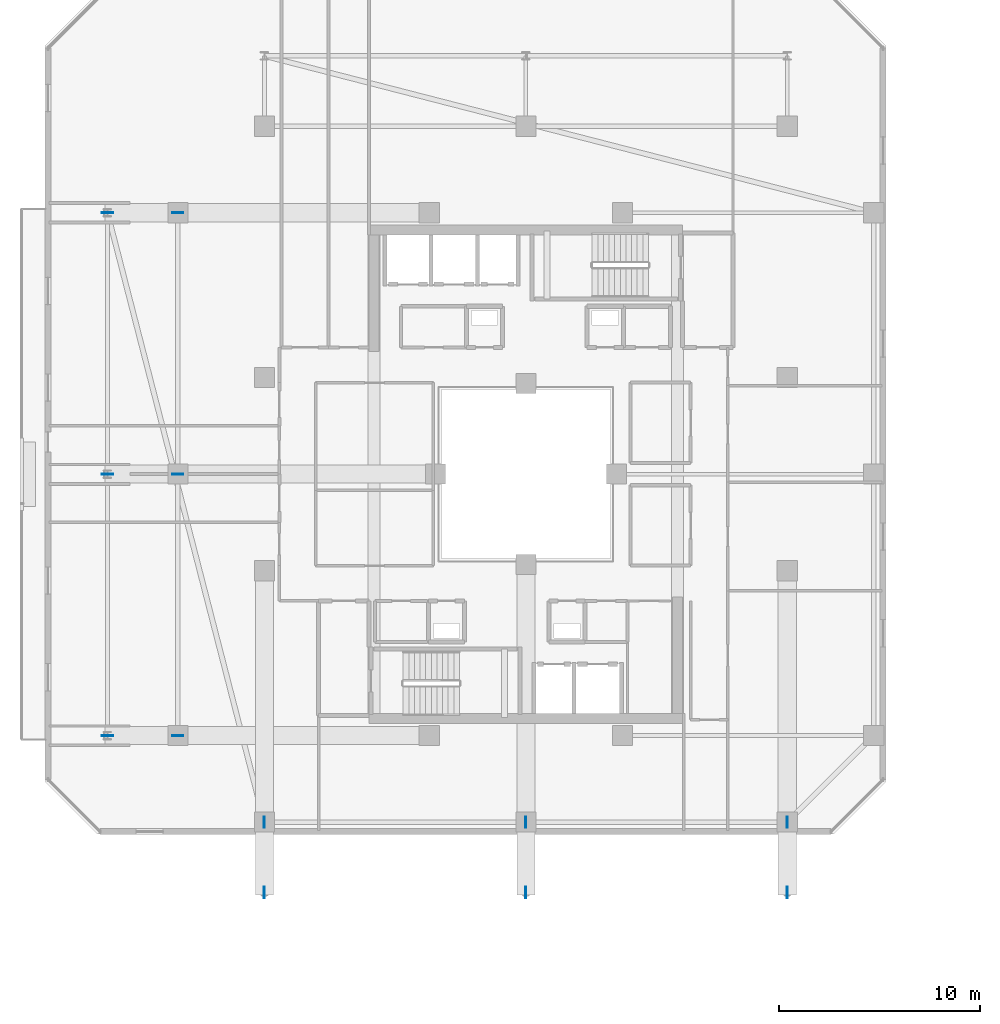
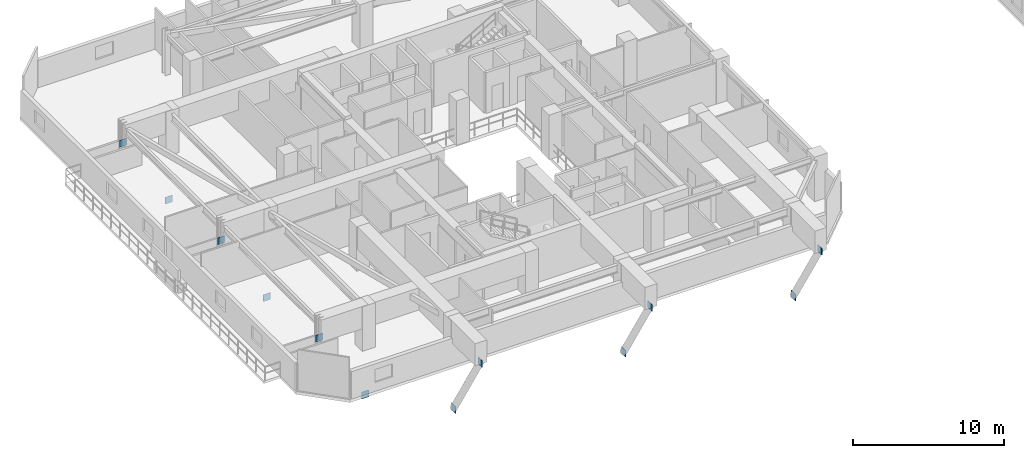
# One storey, part 19 of 35: 12 plates.
"""IFC4 building model written with IfcOpenShell, lengths in metres."""

from ifc_helpers import new_model, si_unit, direction, frame, origin, origin_2d, place, context, subcontext, project, spatial, rectangle, extrude, material, layer, layer_set, type_object, element, save


model = new_model("IFC4")

# Units and contexts
model_context = context("Model", 3, precision=1e-05, world=origin(), true_north=direction((0.0, 1.0)))
body_context = subcontext(model_context, "Body", "Model", "MODEL_VIEW")
ifc_project = project(units=[si_unit("LENGTHUNIT", "METRE"), si_unit("AREAUNIT", "SQUARE_METRE"), si_unit("VOLUMEUNIT", "CUBIC_METRE"), si_unit("PLANEANGLEUNIT", "RADIAN"), si_unit("MASSUNIT", "GRAM", prefix="KILO")], contexts=[model_context])

# Site, building, storey
site_placement = place(None, origin())
site = spatial("IfcSite", under=ifc_project, at=site_placement, CompositionType="ELEMENT")
building_placement = place(site_placement, origin())
building = spatial("IfcBuilding", under=site, at=building_placement, Name="Thornwick Lancets Civic Towers", CompositionType="ELEMENT")
storey_placement = place(building_placement, frame((0.0, 0.0, 225.89990234375)))
storey = spatial("IfcBuildingStorey", under=building, at=storey_placement, Name="L60", CompositionType="ELEMENT", Elevation=225.89990234375)

# Plates
ifc_material = material(Name="Steel S460M", Category="steel")
ifc_layer = layer(ifc_material, 0.0400390625, Name="Steel S460M")
ifc_layer_set = layer_set([ifc_layer], Name="Steel S460M")
plate_type = type_object("IfcPlateType", Name="PLT_GUSSET_40", PredefinedType="USERDEFINED", material=ifc_layer_set)
for number, where, z_axis, x_axis, name in (
    (1, (12.5, 9.699951171875, -4.22509765625), (0.0, 0.0, 1.0), (0.0, -1.0, 0.0), "L60 Brace Connection Gusset Plate 0373"),
    (2, (12.5, 6.199951171875, 1.60498046875), (0.0, 0.0, 1.0), (0.0, -1.0, 0.0), "L60 Brace Connection Gusset Plate 0374"),
    (3, (25.5, 9.699951171875, -4.22509765625), (0.0, 0.0, 1.0), (0.0, -1.0, 0.0), "L60 Brace Connection Gusset Plate 0375"),
    (4, (25.5, 6.199951171875, 1.60498046875), (0.0, 0.0, 1.0), (0.0, -1.0, 0.0), "L60 Brace Connection Gusset Plate 0376"),
    (5, (38.5, 9.699951171875, -4.22509765625), (0.0, 0.0, 1.0), (0.0, -1.0, 0.0), "L60 Brace Connection Gusset Plate 0377"),
    (6, (38.5, 6.199951171875, 1.60498046875), (0.0, 0.0, 1.0), (0.0, -1.0, 0.0), "L60 Brace Connection Gusset Plate 0378"),
    (7, (8.199951171875, 14.0, -4.22509765625), (0.0, 0.0, 1.0), (-1.0, 0.0, 0.0), "L60 Brace Connection Gusset Plate 0379"),
    (8, (4.699951171875, 14.0, 1.60498046875), (0.0, 0.0, 1.0), (-1.0, 0.0, 0.0), "L60 Brace Connection Gusset Plate 0380"),
    (9, (8.199951171875, 27.0, -4.22509765625), (0.0, 0.0, 1.0), (-1.0, 0.0, 0.0), "L60 Brace Connection Gusset Plate 0381"),
    (10, (4.699951171875, 27.0, 1.60498046875), (0.0, 0.0, 1.0), (-1.0, 0.0, 0.0), "L60 Brace Connection Gusset Plate 0382"),
    (11, (8.199951171875, 40.0, -4.22509765625), (0.0, 0.0, 1.0), (-1.0, 0.0, 0.0), "L60 Brace Connection Gusset Plate 0383"),
    (12, (4.699951171875, 40.0, 1.60498046875), (0.0, 0.0, 1.0), (-1.0, 0.0, 0.0), "L60 Brace Connection Gusset Plate 0384"),
):
    element("IfcPlate", number, at=place(storey_placement, frame(where, z_axis=z_axis, x_axis=x_axis)), inside=storey, type_object=plate_type, Name=name, ObjectType="GUSSET_PLATE", PredefinedType="USERDEFINED", context=body_context, shape_type="SweptSolid", body=[
        extrude(rectangle(XDim=0.550048828125, YDim=0.0400390625, at=origin_2d()), origin(), (0.0, 0.0, 1.0), 0.550048828125),
    ])

save(model, "model.ifc")
